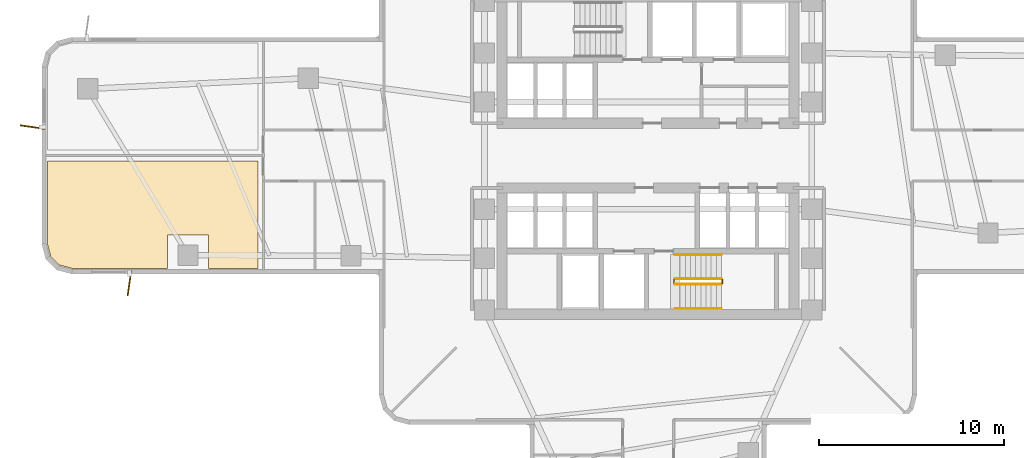
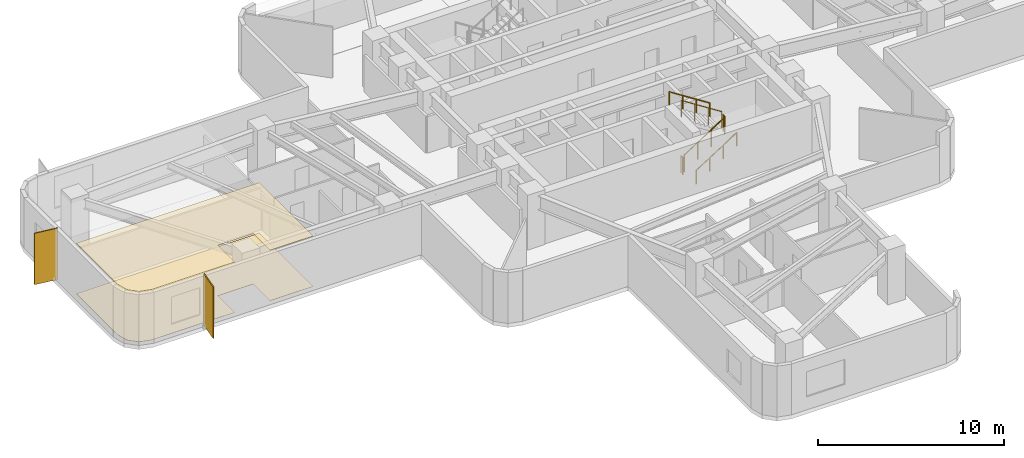
# One storey, part 7 of 9: 6 railings, 2 coverings, 2 shading devices.
"""IFC4 building model written with IfcOpenShell, lengths in metres."""

from ifc_helpers import new_model, si_unit, direction, frame, origin, origin_2d, place, context, subcontext, project, spatial, polyline, rectangle, circle, outline, extrude, material, layer, layer_set, type_object, element, save


model = new_model("IFC4")

# Units and contexts
model_context = context("Model", 3, precision=1e-05, world=origin(), true_north=direction((0.0, 1.0)))
body_context = subcontext(model_context, "Body", "Model", "MODEL_VIEW")
ifc_project = project(units=[si_unit("LENGTHUNIT", "METRE"), si_unit("AREAUNIT", "SQUARE_METRE"), si_unit("VOLUMEUNIT", "CUBIC_METRE"), si_unit("PLANEANGLEUNIT", "RADIAN"), si_unit("MASSUNIT", "GRAM", prefix="KILO")], contexts=[model_context])

# Site, building, storey
site_placement = place(None, origin())
site = spatial("IfcSite", under=ifc_project, at=site_placement, CompositionType="ELEMENT")
building_placement = place(site_placement, origin())
building = spatial("IfcBuilding", under=site, at=building_placement, Name="Solmarez Civic Tower", CompositionType="ELEMENT")
storey_placement = place(building_placement, frame((0.0, 0.0, 28.080078125)))
storey = spatial("IfcBuildingStorey", under=building, at=storey_placement, Name="L06", CompositionType="ELEMENT", Elevation=28.080078125)

# Coverings
ifc_material_1 = material(Name="Perforated Mineral-Fibre Acoustic Ceiling")
ifc_layer_1 = layer(ifc_material_1, 0.02490234375)
ifc_layer_set_1 = layer_set([ifc_layer_1], Name="Perforated Mineral-Fibre Acoustic Ceiling")
covering_type_1 = type_object("IfcCoveringType", Name="COV-CEIL-ACOUSTIC", PredefinedType="CEILING", material=ifc_layer_set_1)
covering_1_placement = place(storey_placement, frame((0.0, 0.0, 3.31494140625)))
element("IfcCovering", 1, at=covering_1_placement, inside=storey, type_object=covering_type_1, Name="L06 Suspended Acoustic Ceiling 3", PredefinedType="CEILING", context=body_context, shape_type="SweptSolid", body=[
    extrude(outline(polyline([(-32.5, -0.300048828125), (-32.5, -4.760009765625), (-32.31689453125, -5.445068359375), (-31.844970703125, -5.9169921875), (-31.159912109375, -6.10009765625), (-25.988037109375, -6.10009765625), (-25.988037109375, -4.29296875), (-23.7880859375, -4.29296875), (-23.7880859375, -6.10009765625), (-21.110107421875, -6.10009765625), (-21.110107421875, -0.300048828125), (-32.5, -0.300048828125)])), origin(), (0.0, 0.0, 1.0), 0.02490234375),
])
ifc_material_2 = material(Name="Polished Tropical Stone Terrazzo Flooring", Category="masonry")
ifc_layer_2 = layer(ifc_material_2, 0.02001953125)
ifc_layer_set_2 = layer_set([ifc_layer_2], Name="Polished Tropical Stone Terrazzo Flooring")
covering_type_2 = type_object("IfcCoveringType", Name="COV-FLOOR-TERRAZZO", PredefinedType="FLOORING", material=ifc_layer_set_2)
covering_2_placement = place(storey_placement, origin())
element("IfcCovering", 2, at=covering_2_placement, inside=storey, type_object=covering_type_2, Name="L06 Terrazzo Floor Finish 3", PredefinedType="FLOORING", context=body_context, shape_type="SweptSolid", body=[
    extrude(outline(polyline([(-32.5, -0.300048828125), (-32.5, -4.760009765625), (-32.31689453125, -5.445068359375), (-31.844970703125, -5.9169921875), (-31.159912109375, -6.10009765625), (-25.988037109375, -6.10009765625), (-25.988037109375, -4.29296875), (-23.7880859375, -4.29296875), (-23.7880859375, -6.10009765625), (-21.110107421875, -6.10009765625), (-21.110107421875, -0.300048828125), (-32.5, -0.300048828125)])), origin(), (0.0, 0.0, 1.0), 0.02001953125),
])

# Shading devices
ifc_material_3 = material(Name="Bronze Anodised Aluminium EN AW-6063 T6", Category="aluminium")
ifc_layer_3 = layer(ifc_material_3, 0.06494140625)
ifc_layer_set_3 = layer_set([ifc_layer_3], Name="Bronze Anodised Aluminium EN AW-6063 T6")
shading_device_type = type_object("IfcShadingDeviceType", Name="FIN-BRONZE-Z12", PredefinedType="USERDEFINED", material=ifc_layer_set_3)
for number, where, z_axis, x_axis, name in (
    (3, (-28.05908203125, -6.905029296875, -0.0400390625), (0.0, 0.0, 1.0), (-0.142041563588, -0.989860694347, 0.0), "L06 Anodised Bronze Solar Fin FIN-L06-01"),
    (4, (-33.304931640625, 1.54296875, -0.0400390625), (0.0, 0.0, 1.0), (-0.989860694347, 0.142041563588, 0.0), "L06 Anodised Bronze Solar Fin FIN-L06-02"),
):
    element("IfcShadingDevice", number, at=place(storey_placement, frame(where, z_axis=z_axis, x_axis=x_axis)), inside=storey, type_object=shading_device_type, Name=name, ObjectType="FIN", PredefinedType="USERDEFINED", context=body_context, shape_type="SweptSolid", body=[
        extrude(rectangle(XDim=1.35009765625, YDim=0.06494140625, at=origin_2d()), origin(), (0.0, 0.0, 1.0), 3.3798828125),
    ])

# Railings
ifc_material_4 = material(Name="Painted Steel Stairwell Safety Guard", Category="steel")
railing_type_1 = type_object("IfcRailingType", Name="GUARD-STAIR-1120", PredefinedType="BALUSTRADE", material=ifc_material_4)
railing_1_placement = place(storey_placement, frame((1.449951171875, -6.969970703125, 0.179931640625)))
element("IfcRailing", 5, at=railing_1_placement, inside=storey, type_object=railing_type_1, Name="L06 ST-2 stair guard 1", PredefinedType="BALUSTRADE", context=body_context, shape_type="SweptSolid", body=[
    extrude(circle(Radius=0.02392578125, at=origin_2d()), frame((0.0, 0.0, 1.09619140625), z_axis=(0.841199657755, 0.0, 0.540724639528), x_axis=(0.0, 1.0, 0.0)), (0.0, 0.0, 1.0), 2.995849609375),
    extrude(circle(Radius=0.02099609375, at=origin_2d()), origin(), (0.0, 0.0, 1.0), 1.072021484375),
    extrude(circle(Radius=0.02099609375, at=origin_2d()), frame((0.840087890625, 0.0, 0.5400390625)), (0.0, 0.0, 1.0), 1.072021484375),
    extrude(circle(Radius=0.02099609375, at=origin_2d()), frame((1.679931640625, 0.0, 1.079833984375)), (0.0, 0.0, 1.0), 1.072021484375),
    extrude(circle(Radius=0.02099609375, at=origin_2d()), frame((2.52001953125, 0.0, 1.619873046875)), (0.0, 0.0, 1.0), 1.072021484375),
])
railing_2_placement = place(storey_placement, frame((4.02001953125, -6.919921875, 1.7998046875)))
element("IfcRailing", 6, at=railing_2_placement, inside=storey, type_object=railing_type_1, Name="L06 ST-2 stair guard 2", PredefinedType="BALUSTRADE", context=body_context, shape_type="SweptSolid", body=[
    extrude(circle(Radius=0.02392578125, at=origin_2d()), frame((0.0, 0.0, 1.09619140625), z_axis=(0.0, 1.0, 0.0), x_axis=(-1.0, 0.0, 0.0)), (0.0, 0.0, 1.0), 0.199951171875),
    extrude(circle(Radius=0.02099609375, at=origin_2d()), origin(), (0.0, 0.0, 1.0), 1.072021484375),
    extrude(circle(Radius=0.02099609375, at=origin_2d()), frame((0.0, 0.199951171875, 0.0)), (0.0, 0.0, 1.0), 1.072021484375),
])
railing_3_placement = place(storey_placement, frame((3.969970703125, -6.669921875, 1.97998046875)))
element("IfcRailing", 7, at=railing_3_placement, inside=storey, type_object=railing_type_1, Name="L06 ST-2 stair guard 3", PredefinedType="BALUSTRADE", context=body_context, shape_type="SweptSolid", body=[
    extrude(circle(Radius=0.02392578125, at=origin_2d()), frame((0.0, 0.0, 1.09619140625), z_axis=(-0.841199657755, 0.0, 0.540724639528), x_axis=(0.0, -1.0, 0.0)), (0.0, 0.0, 1.0), 2.995849609375),
    extrude(circle(Radius=0.02099609375, at=origin_2d()), origin(), (0.0, 0.0, 1.0), 1.072021484375),
    extrude(circle(Radius=0.02099609375, at=origin_2d()), frame((-0.840087890625, 0.0, 0.5400390625)), (0.0, 0.0, 1.0), 1.072021484375),
    extrude(circle(Radius=0.02099609375, at=origin_2d()), frame((-1.679931640625, 0.0, 1.079833984375)), (0.0, 0.0, 1.0), 1.072021484375),
    extrude(circle(Radius=0.02099609375, at=origin_2d()), frame((-2.52001953125, 0.0, 1.619873046875)), (0.0, 0.0, 1.0), 1.072021484375),
])
railing_4_placement = place(storey_placement, frame((1.39990234375, -6.919921875, 0.0)))
element("IfcRailing", 8, at=railing_4_placement, inside=storey, type_object=railing_type_1, Name="L06 ST-2 stair guard 4", PredefinedType="BALUSTRADE", context=body_context, shape_type="SweptSolid", body=[
    extrude(circle(Radius=0.02392578125, at=origin_2d()), frame((0.0, 0.0, 1.09619140625), z_axis=(0.0, 1.0, 0.0), x_axis=(-1.0, 0.0, 0.0)), (0.0, 0.0, 1.0), 0.199951171875),
    extrude(circle(Radius=0.02099609375, at=origin_2d()), origin(), (0.0, 0.0, 1.0), 1.072021484375),
    extrude(circle(Radius=0.02099609375, at=origin_2d()), frame((0.0, 0.199951171875, 0.0)), (0.0, 0.0, 1.0), 1.072021484375),
])
ifc_material_5 = material(Name="Brushed Stainless Steel Tube Handrail", Category="steel")
railing_type_2 = type_object("IfcRailingType", Name="HANDRAIL-STAIR-900", PredefinedType="HANDRAIL", material=ifc_material_5)
railing_5_placement = place(storey_placement, frame((1.449951171875, -8.27001953125, 0.179931640625)))
element("IfcRailing", 9, at=railing_5_placement, inside=storey, type_object=railing_type_2, Name="L06 ST-2 stair handrail 1", PredefinedType="HANDRAIL", context=body_context, shape_type="SweptSolid", body=[
    extrude(circle(Radius=0.02392578125, at=origin_2d()), frame((0.0, 0.0, 0.8759765625), z_axis=(0.841199657755, 0.0, 0.540724639528), x_axis=(0.0, 1.0, 0.0)), (0.0, 0.0, 1.0), 2.995849609375),
    extrude(circle(Radius=0.02099609375, at=origin_2d()), origin(), (0.0, 0.0, 1.0), 0.851806640625),
    extrude(circle(Radius=0.02099609375, at=origin_2d()), frame((0.840087890625, 0.0, 0.5400390625)), (0.0, 0.0, 1.0), 0.851806640625),
    extrude(circle(Radius=0.02099609375, at=origin_2d()), frame((1.679931640625, 0.0, 1.079833984375)), (0.0, 0.0, 1.0), 0.851806640625),
    extrude(circle(Radius=0.02099609375, at=origin_2d()), frame((2.52001953125, 0.0, 1.619873046875)), (0.0, 0.0, 1.0), 0.851806640625),
])
railing_6_placement = place(storey_placement, frame((3.969970703125, -5.3701171875, 1.97998046875)))
element("IfcRailing", 10, at=railing_6_placement, inside=storey, type_object=railing_type_2, Name="L06 ST-2 stair handrail 2", PredefinedType="HANDRAIL", context=body_context, shape_type="SweptSolid", body=[
    extrude(circle(Radius=0.02392578125, at=origin_2d()), frame((0.0, 0.0, 0.8759765625), z_axis=(-0.841199657755, 0.0, 0.540724639528), x_axis=(0.0, -1.0, 0.0)), (0.0, 0.0, 1.0), 2.995849609375),
    extrude(circle(Radius=0.02099609375, at=origin_2d()), origin(), (0.0, 0.0, 1.0), 0.851806640625),
    extrude(circle(Radius=0.02099609375, at=origin_2d()), frame((-0.840087890625, 0.0, 0.5400390625)), (0.0, 0.0, 1.0), 0.851806640625),
    extrude(circle(Radius=0.02099609375, at=origin_2d()), frame((-1.679931640625, 0.0, 1.079833984375)), (0.0, 0.0, 1.0), 0.851806640625),
    extrude(circle(Radius=0.02099609375, at=origin_2d()), frame((-2.52001953125, 0.0, 1.619873046875)), (0.0, 0.0, 1.0), 0.851806640625),
])

save(model, "model.ifc")
